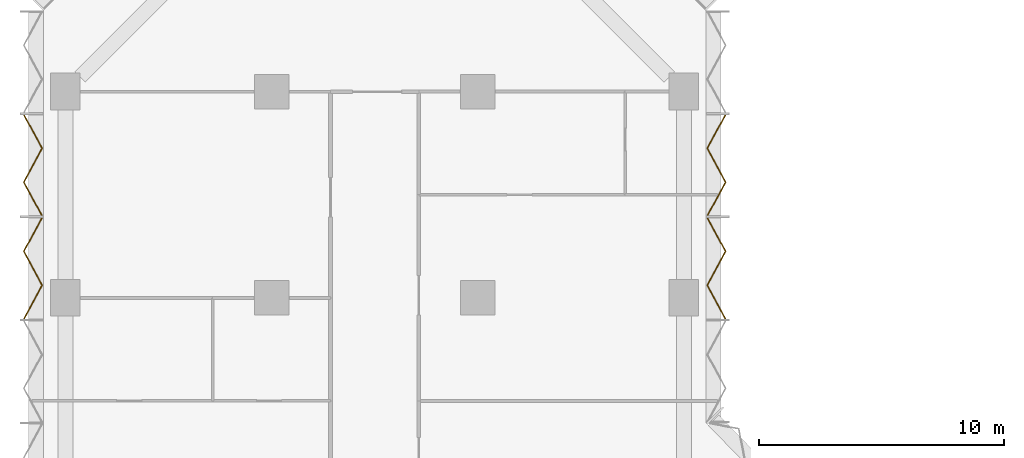
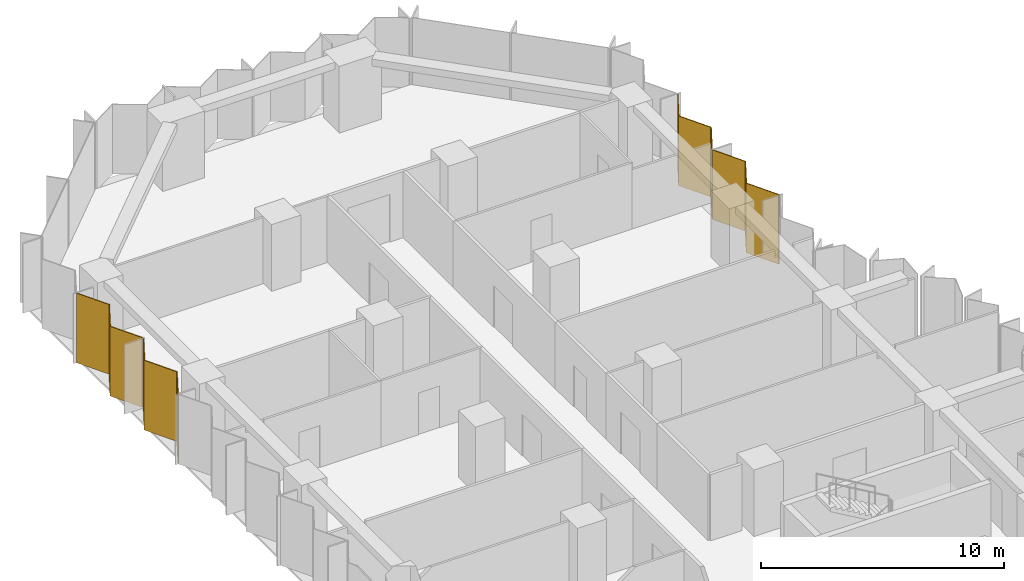
# One storey, part 15 of 15: 4 coverings, 2 elements without a shape of their own.
"""IFC4 building model written with IfcOpenShell, lengths in metres."""

from ifc_helpers import new_model, si_unit, direction, frame, origin, place, context, subcontext, project, spatial, polyline, outline, extrude, material, layer, layer_set, type_object, element, aggregate, save


model = new_model("IFC4")

# Units and contexts
model_context = context("Model", 3, precision=1e-05, world=origin(), true_north=direction((0.0, 1.0)))
body_context = subcontext(model_context, "Body", "Model", "MODEL_VIEW")
ifc_project = project(units=[si_unit("LENGTHUNIT", "METRE"), si_unit("AREAUNIT", "SQUARE_METRE"), si_unit("VOLUMEUNIT", "CUBIC_METRE"), si_unit("PLANEANGLEUNIT", "RADIAN"), si_unit("MASSUNIT", "GRAM", prefix="KILO")], contexts=[model_context])

# Site, building, storey
site_placement = place(None, origin())
site = spatial("IfcSite", under=ifc_project, at=site_placement, CompositionType="ELEMENT")
building_placement = place(site_placement, origin())
building = spatial("IfcBuilding", under=site, at=building_placement, Name="Brevane Broadcast Tower", CompositionType="ELEMENT")
storey_placement = place(building_placement, frame((0.0, 0.0, 47.300048828125)))
storey = spatial("IfcBuildingStorey", under=building, at=storey_placement, Name="L09", CompositionType="ELEMENT", Elevation=47.300048828125)

# Curtain wall, coverings
ifc_material_1 = material(Name="Aluminium 6063-T6 bronze anodised", Category="aluminium")
curtain_wall_type = type_object("IfcCurtainWallType", Name="CW-1 curtain wall", PredefinedType="NOTDEFINED", material=ifc_material_1)
curtain_wall_1_placement = place(storey_placement, origin())
curtain_wall_1 = element("IfcCurtainWall", 1, at=curtain_wall_1_placement, inside=storey, type_object=curtain_wall_type, Name="CW-1 typical tilted unit L09 north arm east face", PredefinedType="NOTDEFINED")
ifc_material_2 = material(Name="Back-painted bronze glass shadow-box", Category="glass")
ifc_layer = layer(ifc_material_2, 0.0400390625)
ifc_layer_set = layer_set([ifc_layer], Name="Shadow-box panel 40")
covering_type = type_object("IfcCoveringType", Name="Shadow-box panel 40", PredefinedType="CLADDING", material=ifc_layer_set)
covering_1_placement = place(storey_placement, frame((0.0, 0.0, -0.150146484375)))
covering_1 = element("IfcCovering", 2, at=covering_1_placement, type_object=covering_type, Name="Shadow-box panel", PredefinedType="CLADDING", context=body_context, shape_type="SweptSolid", body=[
    extrude(outline(polyline([(26.87158203125, 49.534912109375), (26.9169921875, 49.534912109375), (26.172607421875, 50.91162109375), (26.9169921875, 52.288330078125), (26.172607421875, 53.6650390625), (26.127197265625, 53.6650390625), (26.87158203125, 52.288330078125), (26.127197265625, 50.91162109375), (26.87158203125, 49.534912109375)])), origin(), (0.0, 0.0, 1.0), 3.5),
])
covering_2_placement = place(storey_placement, frame((0.0, 0.0, -0.150146484375)))
covering_2 = element("IfcCovering", 3, at=covering_2_placement, type_object=covering_type, Name="Shadow-box panel", PredefinedType="CLADDING", context=body_context, shape_type="SweptSolid", body=[
    extrude(outline(polyline([(26.127197265625, 53.735107421875), (26.172607421875, 53.735107421875), (26.9169921875, 55.11181640625), (26.172607421875, 56.48828125), (26.9169921875, 57.864990234375), (26.87158203125, 57.864990234375), (26.127197265625, 56.48828125), (26.87158203125, 55.11181640625), (26.127197265625, 53.735107421875)])), origin(), (0.0, 0.0, 1.0), 3.5),
])
aggregate(curtain_wall_1, [covering_1, covering_2])

curtain_wall_2_placement = place(storey_placement, origin())
curtain_wall_2 = element("IfcCurtainWall", 4, at=curtain_wall_2_placement, inside=storey, type_object=curtain_wall_type, Name="CW-1 typical tilted unit L09 west face", PredefinedType="NOTDEFINED")
covering_3_placement = place(storey_placement, frame((0.0, 0.0, -0.150146484375)))
covering_3 = element("IfcCovering", 5, at=covering_3_placement, type_object=covering_type, Name="Shadow-box panel", PredefinedType="CLADDING", context=body_context, shape_type="SweptSolid", body=[
    extrude(outline(polyline([(-1.671630859375, 57.864990234375), (-1.717041015625, 57.864990234375), (-0.97265625, 56.48828125), (-1.717041015625, 55.11181640625), (-0.97265625, 53.735107421875), (-0.92724609375, 53.735107421875), (-1.671630859375, 55.11181640625), (-0.92724609375, 56.48828125), (-1.671630859375, 57.864990234375)])), origin(), (0.0, 0.0, 1.0), 3.5),
])
covering_4_placement = place(storey_placement, frame((0.0, 0.0, -0.150146484375)))
covering_4 = element("IfcCovering", 6, at=covering_4_placement, type_object=covering_type, Name="Shadow-box panel", PredefinedType="CLADDING", context=body_context, shape_type="SweptSolid", body=[
    extrude(outline(polyline([(-0.92724609375, 53.6650390625), (-0.97265625, 53.6650390625), (-1.717041015625, 52.288330078125), (-0.97265625, 50.91162109375), (-1.717041015625, 49.534912109375), (-1.671630859375, 49.534912109375), (-0.92724609375, 50.91162109375), (-1.671630859375, 52.288330078125), (-0.92724609375, 53.6650390625)])), origin(), (0.0, 0.0, 1.0), 3.5),
])
aggregate(curtain_wall_2, [covering_3, covering_4])

save(model, "model.ifc")
